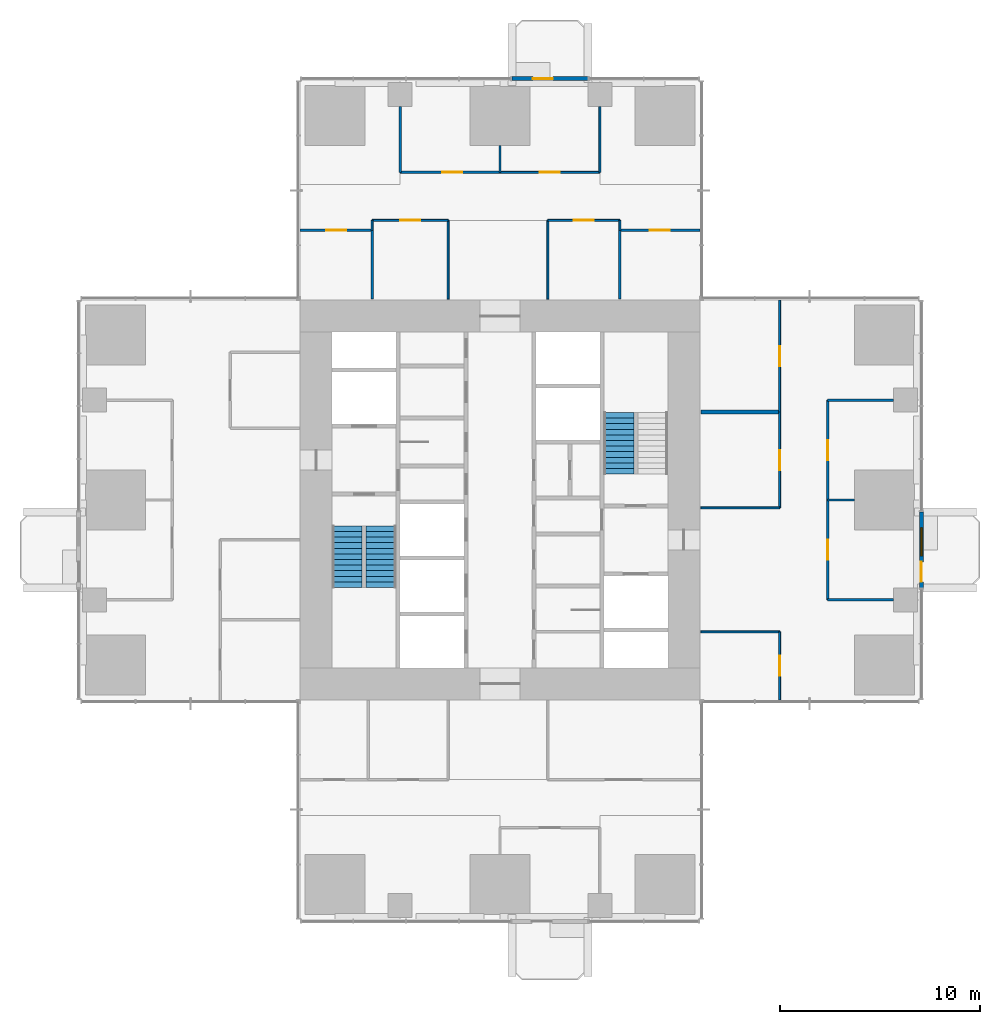
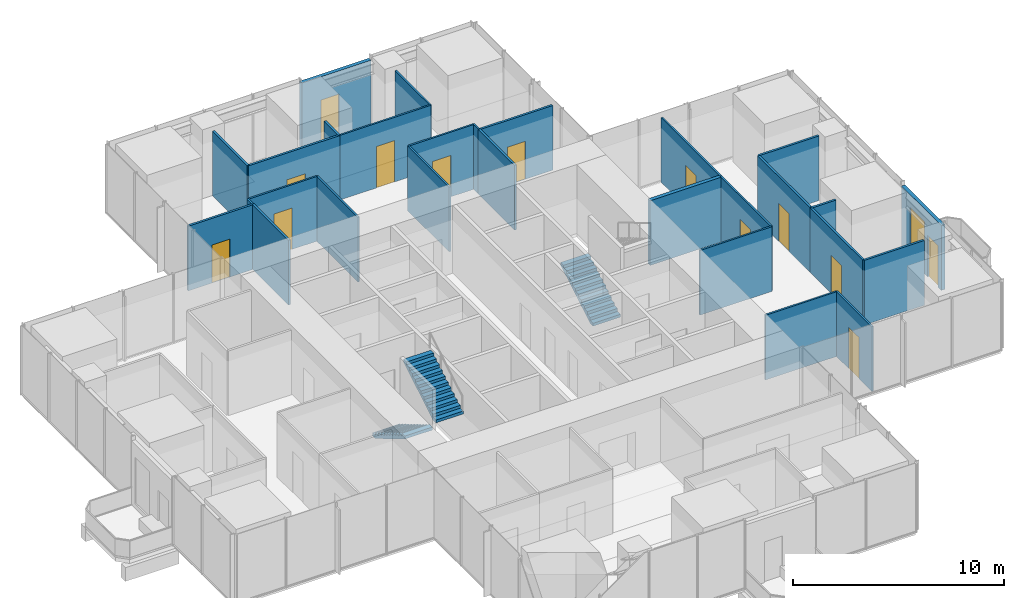
# One storey, part 10 of 14: 28 walls, 13 doors, 3 stair flights, 1 window, 14 openings, 2 elements without a shape of their own.
"""IFC4 building model written with IfcOpenShell, lengths in metres."""

from ifc_helpers import new_model, si_unit, direction, frame, frame_2d, origin, place, context, subcontext, project, spatial, polyline, rectangle, outline, extrude, material, layer, layer_set, type_object, element, fill, aggregate, save


model = new_model("IFC4")

# Units and contexts
model_context = context("Model", 3, precision=1e-05, world=origin(), true_north=direction((0.0, 1.0)))
body_context = subcontext(model_context, "Body", "Model", "MODEL_VIEW")
ifc_project = project(units=[si_unit("LENGTHUNIT", "METRE"), si_unit("AREAUNIT", "SQUARE_METRE"), si_unit("VOLUMEUNIT", "CUBIC_METRE"), si_unit("PLANEANGLEUNIT", "RADIAN"), si_unit("MASSUNIT", "GRAM", prefix="KILO")], contexts=[model_context])

# Site, building, storey
site_placement = place(None, origin())
site = spatial("IfcSite", under=ifc_project, at=site_placement, CompositionType="ELEMENT")
building_placement = place(site_placement, origin())
building = spatial("IfcBuilding", under=site, at=building_placement, Name="Svetlomir Tower", CompositionType="ELEMENT")
storey_placement = place(building_placement, frame((0.0, 0.0, 112.5)))
storey = spatial("IfcBuildingStorey", under=building, at=storey_placement, Name="L26", CompositionType="ELEMENT", Elevation=112.5)

# Wall
ifc_material_1 = material(Name="Gypsum board on twin steel studs", Category="steel")
ifc_layer_1 = layer(ifc_material_1, 0.199951171875)
ifc_layer_set_1 = layer_set([ifc_layer_1], Name="Gypsum board on twin steel studs")
wall_type_1 = type_object("IfcWallType", Name="ACOUSTIC PARTITION 200", PredefinedType="PARTITIONING", material=ifc_layer_set_1)
wall_1_placement = place(storey_placement, frame((31.050048828125, 25.39990234375, 0.0), z_axis=(0.0, 0.0, 1.0), x_axis=(1.0, 0.0, 0.0)))
element("IfcWall", 1, at=wall_1_placement, inside=storey, type_object=wall_type_1, Name="Acoustic partition L26", PredefinedType="PARTITIONING", context=body_context, shape_type="SweptSolid", body=[
    extrude(rectangle(XDim=3.949951171875, YDim=0.199951171875, at=frame_2d((1.97509765625, 0.0))), origin(), (0.0, 0.0, 1.0), 3.75),
])

# Wall, openings, door, window
ifc_material_2 = material(Name="Bronze anodised aluminium glazed screen", Category="aluminium")
ifc_layer_2 = layer(ifc_material_2, 0.199951171875)
ifc_layer_set_2 = layer_set([ifc_layer_2], Name="Bronze anodised aluminium glazed screen")
wall_type_2 = type_object("IfcWallType", Name="BALCONY SCREEN WALL 200", PredefinedType="USERDEFINED", material=ifc_layer_set_2)
wall_2_placement = place(storey_placement, frame((42.10009765625, 16.60009765625, 0.0), z_axis=(0.0, 0.0, 1.0), x_axis=(0.0, 1.0, 0.0)))
wall_2 = element("IfcWall", 2, at=wall_2_placement, inside=storey, type_object=wall_type_2, Name="Balcony screen E", ObjectType="GLAZED SCREEN", PredefinedType="USERDEFINED", context=body_context, shape_type="SweptSolid", body=[
    extrude(rectangle(XDim=3.7998046875, YDim=0.199951171875, at=frame_2d((1.89990234375, 0.0))), origin(), (0.0, 0.0, 1.0), 3.75),
])
opening_1_placement = place(wall_2_placement, frame((0.300048828125, 0.0, 0.0)))
opening_1 = element("IfcOpeningElement", 3, at=opening_1_placement, cuts=wall_2, Name="Opening BD", PredefinedType="OPENING", context=body_context, shape_type="SweptSolid", body=[
    extrude(rectangle(XDim=1.0, YDim=2.39990234375, at=frame_2d((0.5, 1.199951171875))), frame((0.0, 0.10986328125, 0.0), z_axis=(0.0, -1.0, 0.0), x_axis=(1.0, 0.0, 0.0)), (0.0, 0.0, 1.0), 0.219970703125),
])
opening_2_placement = place(wall_2_placement, frame((1.60009765625, 0.0, 0.300048828125)))
opening_2 = element("IfcOpeningElement", 4, at=opening_2_placement, cuts=wall_2, Name="Opening WS2", PredefinedType="OPENING", context=body_context, shape_type="SweptSolid", body=[
    extrude(rectangle(XDim=1.39990234375, YDim=2.699951171875, at=frame_2d((0.699951171875, 1.35009765625))), frame((0.0, 0.10986328125, 0.0), z_axis=(0.0, -1.0, 0.0), x_axis=(1.0, 0.0, 0.0)), (0.0, 0.0, 1.0), 0.219970703125),
])
ifc_material_3 = material(Name="Bronze anodised aluminium glazed door", Category="aluminium")
door_type_1 = type_object("IfcDoorType", Name="BALCONY DOOR BD 1000x2400", OperationType="SINGLE_SWING_LEFT", PredefinedType="DOOR", material=ifc_material_3)
door_1_placement = place(opening_1_placement, origin())
door_1 = element("IfcDoor", 5, at=door_1_placement, inside=storey, type_object=door_type_1, Name="Balcony screen E door", OperationType="SINGLE_SWING_LEFT", OverallHeight=2.39990234375, OverallWidth=1.0, PredefinedType="DOOR", context=body_context, shape_type="SweptSolid", body=[
    extrude(rectangle(XDim=1.0, YDim=2.39990234375, at=frame_2d((0.5, 1.199951171875))), frame((0.0, 0.02490234375, 0.0), z_axis=(0.0, -1.0, 0.0), x_axis=(1.0, 0.0, 0.0)), (0.0, 0.0, 1.0), 0.050048828125),
])
fill(opening_1, door_1)
ifc_material_4 = material(Name="Bronze anodised aluminium window", Category="aluminium")
window_type = type_object("IfcWindowType", Name="SCREEN WINDOW WS2 1400x2700", PartitioningType="SINGLE_PANEL", PredefinedType="WINDOW", material=ifc_material_4)
window_placement = place(opening_2_placement, origin())
window = element("IfcWindow", 6, at=window_placement, inside=storey, type_object=window_type, Name="Balcony screen E window 1", OverallHeight=2.699951171875, OverallWidth=1.39990234375, PartitioningType="SINGLE_PANEL", PredefinedType="WINDOW", context=body_context, shape_type="SweptSolid", body=[
    extrude(rectangle(XDim=1.39990234375, YDim=2.699951171875, at=frame_2d((0.699951171875, 1.35009765625))), frame((0.0, 0.030029296875, 0.0), z_axis=(0.0, -1.0, 0.0), x_axis=(1.0, 0.0, 0.0)), (0.0, 0.0, 1.0), 0.06005859375),
])
fill(opening_2, window)

# Wall, opening, door
wall_3_placement = place(storey_placement, frame((25.39990234375, 42.10009765625, 0.0), z_axis=(0.0, 0.0, 1.0), x_axis=(-1.0, 0.0, 0.0)))
wall_3 = element("IfcWall", 7, at=wall_3_placement, inside=storey, type_object=wall_type_2, Name="Balcony screen N", ObjectType="GLAZED SCREEN", PredefinedType="USERDEFINED", context=body_context, shape_type="SweptSolid", body=[
    extrude(rectangle(XDim=3.7998046875, YDim=0.199951171875, at=frame_2d((1.89990234375, 0.0))), origin(), (0.0, 0.0, 1.0), 3.75),
])
opening_3_placement = place(wall_3_placement, frame((1.75, 0.0, 0.0)))
opening_3 = element("IfcOpeningElement", 8, at=opening_3_placement, cuts=wall_3, Name="Opening BD", PredefinedType="OPENING", context=body_context, shape_type="SweptSolid", body=[
    extrude(rectangle(XDim=1.0, YDim=2.39990234375, at=frame_2d((0.5, 1.199951171875))), frame((0.0, 0.10986328125, 0.0), z_axis=(0.0, -1.0, 0.0), x_axis=(1.0, 0.0, 0.0)), (0.0, 0.0, 1.0), 0.219970703125),
])
door_2_placement = place(opening_3_placement, origin())
door_2 = element("IfcDoor", 9, at=door_2_placement, inside=storey, type_object=door_type_1, Name="Balcony screen N door", OperationType="SINGLE_SWING_LEFT", OverallHeight=2.39990234375, OverallWidth=1.0, PredefinedType="DOOR", context=body_context, shape_type="SweptSolid", body=[
    extrude(rectangle(XDim=1.0, YDim=2.39990234375, at=frame_2d((0.5, 1.199951171875))), frame((0.0, 0.02490234375, 0.0), z_axis=(0.0, -1.0, 0.0), x_axis=(1.0, 0.0, 0.0)), (0.0, 0.0, 1.0), 0.050048828125),
])
fill(opening_3, door_2)

# Wall
ifc_material_5 = material(Name="Framed laminated glass partition", Category="glass")
ifc_layer_3 = layer(ifc_material_5, 0.10009765625)
ifc_layer_set_3 = layer_set([ifc_layer_3], Name="Framed laminated glass partition")
wall_type_3 = type_object("IfcWallType", Name="GLAZED PARTITION 100", PredefinedType="PARTITIONING", material=ifc_layer_set_3)
wall_4_placement = place(storey_placement, frame((14.60009765625, 34.5, 0.0), z_axis=(0.0, 0.0, 1.0), x_axis=(0.0, 1.0, 0.0)))
element("IfcWall", 10, at=wall_4_placement, inside=storey, type_object=wall_type_3, Name="Glazed partition L26", PredefinedType="PARTITIONING", context=body_context, shape_type="SweptSolid", body=[
    extrude(rectangle(XDim=0.5, YDim=0.10009765625, at=frame_2d((0.25, 0.0))), origin(), (0.0, 0.0, 1.0), 3.75),
])

# Wall, opening, door
wall_5_placement = place(storey_placement, frame((14.60009765625, 35.0, 0.0), z_axis=(0.0, 0.0, 1.0), x_axis=(1.0, 0.0, 0.0)))
wall_5 = element("IfcWall", 11, at=wall_5_placement, inside=storey, type_object=wall_type_3, Name="Glazed partition L26", PredefinedType="PARTITIONING", context=body_context, shape_type="SweptSolid", body=[
    extrude(rectangle(XDim=3.7998046875, YDim=0.10009765625, at=frame_2d((1.89990234375, 0.0))), origin(), (0.0, 0.0, 1.0), 3.75),
])
opening_4_placement = place(wall_5_placement, frame((1.39990234375, 0.0, 0.0)))
opening_4 = element("IfcOpeningElement", 12, at=opening_4_placement, cuts=wall_5, Name="Opening DG", PredefinedType="OPENING", context=body_context, shape_type="SweptSolid", body=[
    extrude(rectangle(XDim=1.0, YDim=2.39990234375, at=frame_2d((0.5, 1.199951171875))), frame((0.0, 0.06005859375, 0.0), z_axis=(0.0, -1.0, 0.0), x_axis=(1.0, 0.0, 0.0)), (0.0, 0.0, 1.0), 0.1201171875),
])
ifc_material_6 = material(Name="Framed laminated glass door", Category="glass")
door_type_2 = type_object("IfcDoorType", Name="GLAZED DOOR DG 1000x2400", OperationType="SINGLE_SWING_LEFT", PredefinedType="DOOR", material=ifc_material_6)
door_3_placement = place(opening_4_placement, origin())
door_3 = element("IfcDoor", 13, at=door_3_placement, inside=storey, type_object=door_type_2, Name="Focus room 2 door L26", OperationType="SINGLE_SWING_LEFT", OverallHeight=2.39990234375, OverallWidth=1.0, PredefinedType="DOOR", context=body_context, shape_type="SweptSolid", body=[
    extrude(rectangle(XDim=1.0, YDim=2.39990234375, at=frame_2d((0.5, 1.199951171875))), frame((0.0, 0.02490234375, 0.0), z_axis=(0.0, -1.0, 0.0), x_axis=(1.0, 0.0, 0.0)), (0.0, 0.0, 1.0), 0.050048828125),
])
fill(opening_4, door_3)

# Wall
wall_6_placement = place(storey_placement, frame((18.39990234375, 31.050048828125, 0.0), z_axis=(0.0, 0.0, 1.0), x_axis=(0.0, 1.0, 0.0)))
element("IfcWall", 14, at=wall_6_placement, inside=storey, type_object=wall_type_3, Name="Glazed partition L26", PredefinedType="PARTITIONING", context=body_context, shape_type="SweptSolid", body=[
    extrude(rectangle(XDim=3.949951171875, YDim=0.10009765625, at=frame_2d((1.97509765625, 0.0))), origin(), (0.0, 0.0, 1.0), 3.75),
])

# Wall, opening, door
wall_7_placement = place(storey_placement, frame((21.0, 37.39990234375, 0.0), z_axis=(0.0, 0.0, 1.0), x_axis=(1.0, 0.0, 0.0)))
wall_7 = element("IfcWall", 15, at=wall_7_placement, inside=storey, type_object=wall_type_3, Name="Glazed partition L26", PredefinedType="PARTITIONING", context=body_context, shape_type="SweptSolid", body=[
    extrude(rectangle(XDim=5.0, YDim=0.10009765625, at=frame_2d((2.5, 0.0))), origin(), (0.0, 0.0, 1.0), 3.75),
])
opening_5_placement = place(wall_7_placement, frame((2.0, 0.0, 0.0)))
opening_5 = element("IfcOpeningElement", 16, at=opening_5_placement, cuts=wall_7, Name="Opening DG", PredefinedType="OPENING", context=body_context, shape_type="SweptSolid", body=[
    extrude(rectangle(XDim=1.0, YDim=2.39990234375, at=frame_2d((0.5, 1.199951171875))), frame((0.0, 0.06005859375, 0.0), z_axis=(0.0, -1.0, 0.0), x_axis=(1.0, 0.0, 0.0)), (0.0, 0.0, 1.0), 0.1201171875),
])
door_4_placement = place(opening_5_placement, origin())
door_4 = element("IfcDoor", 17, at=door_4_placement, inside=storey, type_object=door_type_2, Name="Law library door L26", OperationType="SINGLE_SWING_LEFT", OverallHeight=2.39990234375, OverallWidth=1.0, PredefinedType="DOOR", context=body_context, shape_type="SweptSolid", body=[
    extrude(rectangle(XDim=1.0, YDim=2.39990234375, at=frame_2d((0.5, 1.199951171875))), frame((0.0, 0.02490234375, 0.0), z_axis=(0.0, -1.0, 0.0), x_axis=(1.0, 0.0, 0.0)), (0.0, 0.0, 1.0), 0.050048828125),
])
fill(opening_5, door_4)

# Wall
wall_8_placement = place(storey_placement, frame((23.39990234375, 31.050048828125, 0.0), z_axis=(0.0, 0.0, 1.0), x_axis=(0.0, 1.0, 0.0)))
element("IfcWall", 18, at=wall_8_placement, inside=storey, type_object=wall_type_3, Name="Glazed partition L26", PredefinedType="PARTITIONING", context=body_context, shape_type="SweptSolid", body=[
    extrude(rectangle(XDim=3.949951171875, YDim=0.10009765625, at=frame_2d((1.97509765625, 0.0))), origin(), (0.0, 0.0, 1.0), 3.75),
])

# Wall, opening, door
wall_9_placement = place(storey_placement, frame((23.39990234375, 35.0, 0.0), z_axis=(0.0, 0.0, 1.0), x_axis=(1.0, 0.0, 0.0)))
wall_9 = element("IfcWall", 19, at=wall_9_placement, inside=storey, type_object=wall_type_3, Name="Glazed partition L26", PredefinedType="PARTITIONING", context=body_context, shape_type="SweptSolid", body=[
    extrude(rectangle(XDim=3.60009765625, YDim=0.10009765625, at=frame_2d((1.800048828125, 0.0))), origin(), (0.0, 0.0, 1.0), 3.75),
])
opening_6_placement = place(wall_9_placement, frame((1.300048828125, 0.0, 0.0)))
opening_6 = element("IfcOpeningElement", 20, at=opening_6_placement, cuts=wall_9, Name="Opening DG", PredefinedType="OPENING", context=body_context, shape_type="SweptSolid", body=[
    extrude(rectangle(XDim=1.0, YDim=2.39990234375, at=frame_2d((0.5, 1.199951171875))), frame((0.0, 0.06005859375, 0.0), z_axis=(0.0, -1.0, 0.0), x_axis=(1.0, 0.0, 0.0)), (0.0, 0.0, 1.0), 0.1201171875),
])
door_5_placement = place(opening_6_placement, origin())
door_5 = element("IfcDoor", 21, at=door_5_placement, inside=storey, type_object=door_type_2, Name="Focus room 3 door L26", OperationType="SINGLE_SWING_RIGHT", OverallHeight=2.39990234375, OverallWidth=1.0, PredefinedType="DOOR", context=body_context, shape_type="SweptSolid", body=[
    extrude(rectangle(XDim=1.0, YDim=2.39990234375, at=frame_2d((0.5, 1.199951171875))), frame((0.0, 0.02490234375, 0.0), z_axis=(0.0, -1.0, 0.0), x_axis=(1.0, 0.0, 0.0)), (0.0, 0.0, 1.0), 0.050048828125),
])
fill(opening_6, door_5)

# Walls
wall_10_placement = place(storey_placement, frame((26.0, 37.39990234375, 0.0), z_axis=(0.0, 0.0, 1.0), x_axis=(0.0, 1.0, 0.0)))
element("IfcWall", 22, at=wall_10_placement, inside=storey, type_object=wall_type_3, Name="Glazed partition L26", PredefinedType="PARTITIONING", context=body_context, shape_type="SweptSolid", body=[
    extrude(rectangle(XDim=3.2900390625, YDim=0.10009765625, at=frame_2d((1.64501953125, 0.0))), origin(), (0.0, 0.0, 1.0), 3.75),
])
wall_11_placement = place(storey_placement, frame((27.0, 34.5, 0.0), z_axis=(0.0, 0.0, 1.0), x_axis=(0.0, 1.0, 0.0)))
element("IfcWall", 23, at=wall_11_placement, inside=storey, type_object=wall_type_3, Name="Glazed partition L26", PredefinedType="PARTITIONING", context=body_context, shape_type="SweptSolid", body=[
    extrude(rectangle(XDim=0.5, YDim=0.10009765625, at=frame_2d((0.25, 0.0))), origin(), (0.0, 0.0, 1.0), 3.75),
])
for number, where, z_axis, x_axis, name in (
    (24, (31.050048828125, 14.39990234375, 0.0), (0.0, 0.0, 1.0), (1.0, 0.0, 0.0), "Glazed partition L26"),
    (25, (31.050048828125, 20.60009765625, 0.0), (0.0, 0.0, 1.0), (1.0, 0.0, 0.0), "Glazed partition L26"),
):
    element("IfcWall", number, at=place(storey_placement, frame(where, z_axis=z_axis, x_axis=x_axis)), inside=storey, type_object=wall_type_3, Name=name, PredefinedType="PARTITIONING", context=body_context, shape_type="SweptSolid", body=[
        extrude(rectangle(XDim=3.949951171875, YDim=0.10009765625, at=frame_2d((1.97509765625, 0.0))), origin(), (0.0, 0.0, 1.0), 3.75),
    ])

# Wall, opening, door
wall_12_placement = place(storey_placement, frame((35.0, 11.0, 0.0), z_axis=(0.0, 0.0, 1.0), x_axis=(0.0, 1.0, 0.0)))
wall_12 = element("IfcWall", 26, at=wall_12_placement, inside=storey, type_object=wall_type_3, Name="Glazed partition L26", PredefinedType="PARTITIONING", context=body_context, shape_type="SweptSolid", body=[
    extrude(rectangle(XDim=3.39990234375, YDim=0.10009765625, at=frame_2d((1.699951171875, 0.0))), origin(), (0.0, 0.0, 1.0), 3.75),
])
opening_7_placement = place(wall_12_placement, frame((1.199951171875, 0.0, 0.0)))
opening_7 = element("IfcOpeningElement", 27, at=opening_7_placement, cuts=wall_12, Name="Opening DG", PredefinedType="OPENING", context=body_context, shape_type="SweptSolid", body=[
    extrude(rectangle(XDim=1.0, YDim=2.39990234375, at=frame_2d((0.5, 1.199951171875))), frame((0.0, 0.06005859375, 0.0), z_axis=(0.0, -1.0, 0.0), x_axis=(1.0, 0.0, 0.0)), (0.0, 0.0, 1.0), 0.1201171875),
])
door_6_placement = place(opening_7_placement, origin())
door_6 = element("IfcDoor", 28, at=door_6_placement, inside=storey, type_object=door_type_2, Name="Phone rooms door L26", OperationType="SINGLE_SWING_RIGHT", OverallHeight=2.39990234375, OverallWidth=1.0, PredefinedType="DOOR", context=body_context, shape_type="SweptSolid", body=[
    extrude(rectangle(XDim=1.0, YDim=2.39990234375, at=frame_2d((0.5, 1.199951171875))), frame((0.0, 0.02490234375, 0.0), z_axis=(0.0, -1.0, 0.0), x_axis=(1.0, 0.0, 0.0)), (0.0, 0.0, 1.0), 0.050048828125),
])
fill(opening_7, door_6)

wall_13_placement = place(storey_placement, frame((35.0, 20.60009765625, 0.0), z_axis=(0.0, 0.0, 1.0), x_axis=(0.0, 1.0, 0.0)))
wall_13 = element("IfcWall", 29, at=wall_13_placement, inside=storey, type_object=wall_type_3, Name="Glazed partition L26", PredefinedType="PARTITIONING", context=body_context, shape_type="SweptSolid", body=[
    extrude(rectangle(XDim=4.7998046875, YDim=0.10009765625, at=frame_2d((2.39990234375, 0.0))), origin(), (0.0, 0.0, 1.0), 3.75),
])
opening_8_placement = place(wall_13_placement, frame((1.89990234375, 0.0, 0.0)))
opening_8 = element("IfcOpeningElement", 30, at=opening_8_placement, cuts=wall_13, Name="Opening DG", PredefinedType="OPENING", context=body_context, shape_type="SweptSolid", body=[
    extrude(rectangle(XDim=1.0, YDim=2.39990234375, at=frame_2d((0.5, 1.199951171875))), frame((0.0, 0.06005859375, 0.0), z_axis=(0.0, -1.0, 0.0), x_axis=(1.0, 0.0, 0.0)), (0.0, 0.0, 1.0), 0.1201171875),
])
door_7_placement = place(opening_8_placement, origin())
door_7 = element("IfcDoor", 31, at=door_7_placement, inside=storey, type_object=door_type_2, Name="Meeting room, 8 seats door L26", OperationType="SINGLE_SWING_RIGHT", OverallHeight=2.39990234375, OverallWidth=1.0, PredefinedType="DOOR", context=body_context, shape_type="SweptSolid", body=[
    extrude(rectangle(XDim=1.0, YDim=2.39990234375, at=frame_2d((0.5, 1.199951171875))), frame((0.0, 0.02490234375, 0.0), z_axis=(0.0, -1.0, 0.0), x_axis=(1.0, 0.0, 0.0)), (0.0, 0.0, 1.0), 0.050048828125),
])
fill(opening_8, door_7)

wall_14_placement = place(storey_placement, frame((35.0, 25.39990234375, 0.0), z_axis=(0.0, 0.0, 1.0), x_axis=(0.0, 1.0, 0.0)))
wall_14 = element("IfcWall", 32, at=wall_14_placement, inside=storey, type_object=wall_type_3, Name="Glazed partition L26", PredefinedType="PARTITIONING", context=body_context, shape_type="SweptSolid", body=[
    extrude(rectangle(XDim=5.60009765625, YDim=0.10009765625, at=frame_2d((2.800048828125, 0.0))), origin(), (0.0, 0.0, 1.0), 3.75),
])
opening_9_placement = place(wall_14_placement, frame((2.300048828125, 0.0, 0.0)))
opening_9 = element("IfcOpeningElement", 33, at=opening_9_placement, cuts=wall_14, Name="Opening DG", PredefinedType="OPENING", context=body_context, shape_type="SweptSolid", body=[
    extrude(rectangle(XDim=1.0, YDim=2.39990234375, at=frame_2d((0.5, 1.199951171875))), frame((0.0, 0.06005859375, 0.0), z_axis=(0.0, -1.0, 0.0), x_axis=(1.0, 0.0, 0.0)), (0.0, 0.0, 1.0), 0.1201171875),
])
door_8_placement = place(opening_9_placement, origin())
door_8 = element("IfcDoor", 34, at=door_8_placement, inside=storey, type_object=door_type_2, Name="Data room door L26", OperationType="SINGLE_SWING_LEFT", OverallHeight=2.39990234375, OverallWidth=1.0, PredefinedType="DOOR", context=body_context, shape_type="SweptSolid", body=[
    extrude(rectangle(XDim=1.0, YDim=2.39990234375, at=frame_2d((0.5, 1.199951171875))), frame((0.0, 0.02490234375, 0.0), z_axis=(0.0, -1.0, 0.0), x_axis=(1.0, 0.0, 0.0)), (0.0, 0.0, 1.0), 0.050048828125),
])
fill(opening_9, door_8)

ifc_material_7 = material(Name="Gypsum board on steel studs", Category="steel")
ifc_layer_4 = layer(ifc_material_7, 0.1201171875)
ifc_layer_set_4 = layer_set([ifc_layer_4], Name="Gypsum board on steel studs")
wall_type_4 = type_object("IfcWallType", Name="PARTITION 120", PredefinedType="PARTITIONING", material=ifc_layer_set_4)
wall_15_placement = place(storey_placement, frame((11.0, 34.5, 0.0), z_axis=(0.0, 0.0, 1.0), x_axis=(1.0, 0.0, 0.0)))
wall_15 = element("IfcWall", 35, at=wall_15_placement, inside=storey, type_object=wall_type_4, Name="Partition L26", PredefinedType="PARTITIONING", context=body_context, shape_type="SweptSolid", body=[
    extrude(rectangle(XDim=3.60009765625, YDim=0.1201171875, at=frame_2d((1.800048828125, 0.0))), origin(), (0.0, 0.0, 1.0), 3.75),
])
opening_10_placement = place(wall_15_placement, frame((1.300048828125, 0.0, 0.0)))
opening_10 = element("IfcOpeningElement", 36, at=opening_10_placement, cuts=wall_15, Name="Opening DR", PredefinedType="OPENING", context=body_context, shape_type="SweptSolid", body=[
    extrude(rectangle(XDim=1.0, YDim=2.199951171875, at=frame_2d((0.5, 1.10009765625))), frame((0.0, 0.070068359375, 0.0), z_axis=(0.0, -1.0, 0.0), x_axis=(1.0, 0.0, 0.0)), (0.0, 0.0, 1.0), 0.14013671875),
])
ifc_material_8 = material(Name="Timber door, glazed side light", Category="wood")
door_type_3 = type_object("IfcDoorType", Name="DOOR DR 1000x2200", OperationType="SINGLE_SWING_LEFT", PredefinedType="DOOR", material=ifc_material_8)
door_9_placement = place(opening_10_placement, origin())
door_9 = element("IfcDoor", 37, at=door_9_placement, inside=storey, type_object=door_type_3, Name="Legal archive door L26", OperationType="SINGLE_SWING_RIGHT", OverallHeight=2.199951171875, OverallWidth=1.0, PredefinedType="DOOR", context=body_context, shape_type="SweptSolid", body=[
    extrude(rectangle(XDim=1.0, YDim=2.199951171875, at=frame_2d((0.5, 1.10009765625))), frame((0.0, 0.02490234375, 0.0), z_axis=(0.0, -1.0, 0.0), x_axis=(1.0, 0.0, 0.0)), (0.0, 0.0, 1.0), 0.050048828125),
])
fill(opening_10, door_9)

# Walls
wall_16_placement = place(storey_placement, frame((14.60009765625, 31.050048828125, 0.0), z_axis=(0.0, 0.0, 1.0), x_axis=(0.0, 1.0, 0.0)))
element("IfcWall", 38, at=wall_16_placement, inside=storey, type_object=wall_type_4, Name="Partition L26", PredefinedType="PARTITIONING", context=body_context, shape_type="SweptSolid", body=[
    extrude(rectangle(XDim=3.449951171875, YDim=0.1201171875, at=frame_2d((1.72509765625, 0.0))), origin(), (0.0, 0.0, 1.0), 3.75),
])
wall_17_placement = place(storey_placement, frame((16.0, 37.39990234375, 0.0), z_axis=(0.0, 0.0, 1.0), x_axis=(0.0, 1.0, 0.0)))
element("IfcWall", 39, at=wall_17_placement, inside=storey, type_object=wall_type_4, Name="Partition L26", PredefinedType="PARTITIONING", context=body_context, shape_type="SweptSolid", body=[
    extrude(rectangle(XDim=3.2900390625, YDim=0.1201171875, at=frame_2d((1.64501953125, 0.0))), origin(), (0.0, 0.0, 1.0), 3.75),
])

# Wall, opening, door
wall_18_placement = place(storey_placement, frame((16.0, 37.39990234375, 0.0), z_axis=(0.0, 0.0, 1.0), x_axis=(1.0, 0.0, 0.0)))
wall_18 = element("IfcWall", 40, at=wall_18_placement, inside=storey, type_object=wall_type_4, Name="Partition L26", PredefinedType="PARTITIONING", context=body_context, shape_type="SweptSolid", body=[
    extrude(rectangle(XDim=5.0, YDim=0.1201171875, at=frame_2d((2.5, 0.0))), origin(), (0.0, 0.0, 1.0), 3.75),
])
opening_11_placement = place(wall_18_placement, frame((2.10009765625, 0.0, 0.0)))
opening_11 = element("IfcOpeningElement", 41, at=opening_11_placement, cuts=wall_18, Name="Opening DR", PredefinedType="OPENING", context=body_context, shape_type="SweptSolid", body=[
    extrude(rectangle(XDim=1.0, YDim=2.199951171875, at=frame_2d((0.5, 1.10009765625))), frame((0.0, 0.070068359375, 0.0), z_axis=(0.0, -1.0, 0.0), x_axis=(1.0, 0.0, 0.0)), (0.0, 0.0, 1.0), 0.14013671875),
])
door_10_placement = place(opening_11_placement, origin())
door_10 = element("IfcDoor", 42, at=door_10_placement, inside=storey, type_object=door_type_3, Name="Counsel office 2 door L26", OperationType="SINGLE_SWING_RIGHT", OverallHeight=2.199951171875, OverallWidth=1.0, PredefinedType="DOOR", context=body_context, shape_type="SweptSolid", body=[
    extrude(rectangle(XDim=1.0, YDim=2.199951171875, at=frame_2d((0.5, 1.10009765625))), frame((0.0, 0.02490234375, 0.0), z_axis=(0.0, -1.0, 0.0), x_axis=(1.0, 0.0, 0.0)), (0.0, 0.0, 1.0), 0.050048828125),
])
fill(opening_11, door_10)

# Walls
wall_19_placement = place(storey_placement, frame((21.0, 37.39990234375, 0.0), z_axis=(0.0, 0.0, 1.0), x_axis=(0.0, 1.0, 0.0)))
element("IfcWall", 43, at=wall_19_placement, inside=storey, type_object=wall_type_4, Name="Partition L26", PredefinedType="PARTITIONING", context=body_context, shape_type="SweptSolid", body=[
    extrude(rectangle(XDim=1.340087890625, YDim=0.1201171875, at=frame_2d((0.669921875, 0.0))), origin(), (0.0, 0.0, 1.0), 3.75),
])
wall_20_placement = place(storey_placement, frame((27.0, 31.050048828125, 0.0), z_axis=(0.0, 0.0, 1.0), x_axis=(0.0, 1.0, 0.0)))
element("IfcWall", 44, at=wall_20_placement, inside=storey, type_object=wall_type_4, Name="Partition L26", PredefinedType="PARTITIONING", context=body_context, shape_type="SweptSolid", body=[
    extrude(rectangle(XDim=3.449951171875, YDim=0.1201171875, at=frame_2d((1.72509765625, 0.0))), origin(), (0.0, 0.0, 1.0), 3.75),
])

# Wall, opening, door
wall_21_placement = place(storey_placement, frame((27.0, 34.5, 0.0), z_axis=(0.0, 0.0, 1.0), x_axis=(1.0, 0.0, 0.0)))
wall_21 = element("IfcWall", 45, at=wall_21_placement, inside=storey, type_object=wall_type_4, Name="Partition L26", PredefinedType="PARTITIONING", context=body_context, shape_type="SweptSolid", body=[
    extrude(rectangle(XDim=4.0, YDim=0.1201171875, at=frame_2d((2.0, 0.0))), origin(), (0.0, 0.0, 1.0), 3.75),
])
opening_12_placement = place(wall_21_placement, frame((1.5, 0.0, 0.0)))
opening_12 = element("IfcOpeningElement", 46, at=opening_12_placement, cuts=wall_21, Name="Opening DR", PredefinedType="OPENING", context=body_context, shape_type="SweptSolid", body=[
    extrude(rectangle(XDim=1.0, YDim=2.199951171875, at=frame_2d((0.5, 1.10009765625))), frame((0.0, 0.070068359375, 0.0), z_axis=(0.0, -1.0, 0.0), x_axis=(1.0, 0.0, 0.0)), (0.0, 0.0, 1.0), 0.14013671875),
])
door_11_placement = place(opening_12_placement, origin())
door_11 = element("IfcDoor", 47, at=door_11_placement, inside=storey, type_object=door_type_3, Name="Print and copy room door L26", OperationType="SINGLE_SWING_LEFT", OverallHeight=2.199951171875, OverallWidth=1.0, PredefinedType="DOOR", context=body_context, shape_type="SweptSolid", body=[
    extrude(rectangle(XDim=1.0, YDim=2.199951171875, at=frame_2d((0.5, 1.10009765625))), frame((0.0, 0.02490234375, 0.0), z_axis=(0.0, -1.0, 0.0), x_axis=(1.0, 0.0, 0.0)), (0.0, 0.0, 1.0), 0.050048828125),
])
fill(opening_12, door_11)

wall_22_placement = place(storey_placement, frame((37.39990234375, 16.0, 0.0), z_axis=(0.0, 0.0, 1.0), x_axis=(0.0, 1.0, 0.0)))
wall_22 = element("IfcWall", 48, at=wall_22_placement, inside=storey, type_object=wall_type_4, Name="Partition L26", PredefinedType="PARTITIONING", context=body_context, shape_type="SweptSolid", body=[
    extrude(rectangle(XDim=5.0, YDim=0.1201171875, at=frame_2d((2.5, 0.0))), origin(), (0.0, 0.0, 1.0), 3.75),
])
opening_13_placement = place(wall_22_placement, frame((2.0, 0.0, 0.0)))
opening_13 = element("IfcOpeningElement", 49, at=opening_13_placement, cuts=wall_22, Name="Opening DR", PredefinedType="OPENING", context=body_context, shape_type="SweptSolid", body=[
    extrude(rectangle(XDim=1.0, YDim=2.199951171875, at=frame_2d((0.5, 1.10009765625))), frame((0.0, 0.070068359375, 0.0), z_axis=(0.0, -1.0, 0.0), x_axis=(1.0, 0.0, 0.0)), (0.0, 0.0, 1.0), 0.14013671875),
])
door_12_placement = place(opening_13_placement, origin())
door_12 = element("IfcDoor", 50, at=door_12_placement, inside=storey, type_object=door_type_3, Name="General counsel office door L26", OperationType="SINGLE_SWING_RIGHT", OverallHeight=2.199951171875, OverallWidth=1.0, PredefinedType="DOOR", context=body_context, shape_type="SweptSolid", body=[
    extrude(rectangle(XDim=1.0, YDim=2.199951171875, at=frame_2d((0.5, 1.10009765625))), frame((0.0, 0.02490234375, 0.0), z_axis=(0.0, -1.0, 0.0), x_axis=(1.0, 0.0, 0.0)), (0.0, 0.0, 1.0), 0.050048828125),
])
fill(opening_13, door_12)

# Wall
wall_23_placement = place(storey_placement, frame((37.39990234375, 16.0, 0.0), z_axis=(0.0, 0.0, 1.0), x_axis=(1.0, 0.0, 0.0)))
element("IfcWall", 51, at=wall_23_placement, inside=storey, type_object=wall_type_4, Name="Partition L26", PredefinedType="PARTITIONING", context=body_context, shape_type="SweptSolid", body=[
    extrude(rectangle(XDim=3.2900390625, YDim=0.1201171875, at=frame_2d((1.64501953125, 0.0))), origin(), (0.0, 0.0, 1.0), 3.75),
])

# Wall, opening, door
wall_24_placement = place(storey_placement, frame((37.39990234375, 21.0, 0.0), z_axis=(0.0, 0.0, 1.0), x_axis=(0.0, 1.0, 0.0)))
wall_24 = element("IfcWall", 52, at=wall_24_placement, inside=storey, type_object=wall_type_4, Name="Partition L26", PredefinedType="PARTITIONING", context=body_context, shape_type="SweptSolid", body=[
    extrude(rectangle(XDim=5.0, YDim=0.1201171875, at=frame_2d((2.5, 0.0))), origin(), (0.0, 0.0, 1.0), 3.75),
])
opening_14_placement = place(wall_24_placement, frame((2.0, 0.0, 0.0)))
opening_14 = element("IfcOpeningElement", 53, at=opening_14_placement, cuts=wall_24, Name="Opening DR", PredefinedType="OPENING", context=body_context, shape_type="SweptSolid", body=[
    extrude(rectangle(XDim=1.0, YDim=2.199951171875, at=frame_2d((0.5, 1.10009765625))), frame((0.0, 0.070068359375, 0.0), z_axis=(0.0, -1.0, 0.0), x_axis=(1.0, 0.0, 0.0)), (0.0, 0.0, 1.0), 0.14013671875),
])
door_13_placement = place(opening_14_placement, origin())
door_13 = element("IfcDoor", 54, at=door_13_placement, inside=storey, type_object=door_type_3, Name="Legal assistants office door L26", OperationType="SINGLE_SWING_LEFT", OverallHeight=2.199951171875, OverallWidth=1.0, PredefinedType="DOOR", context=body_context, shape_type="SweptSolid", body=[
    extrude(rectangle(XDim=1.0, YDim=2.199951171875, at=frame_2d((0.5, 1.10009765625))), frame((0.0, 0.02490234375, 0.0), z_axis=(0.0, -1.0, 0.0), x_axis=(1.0, 0.0, 0.0)), (0.0, 0.0, 1.0), 0.050048828125),
])
fill(opening_14, door_13)

# Walls
wall_25_placement = place(storey_placement, frame((37.39990234375, 21.0, 0.0), z_axis=(0.0, 0.0, 1.0), x_axis=(1.0, 0.0, 0.0)))
element("IfcWall", 55, at=wall_25_placement, inside=storey, type_object=wall_type_4, Name="Partition L26", PredefinedType="PARTITIONING", context=body_context, shape_type="SweptSolid", body=[
    extrude(rectangle(XDim=1.340087890625, YDim=0.1201171875, at=frame_2d((0.669921875, 0.0))), origin(), (0.0, 0.0, 1.0), 3.75),
])
wall_26_placement = place(storey_placement, frame((37.39990234375, 26.0, 0.0), z_axis=(0.0, 0.0, 1.0), x_axis=(1.0, 0.0, 0.0)))
element("IfcWall", 56, at=wall_26_placement, inside=storey, type_object=wall_type_4, Name="Partition L26", PredefinedType="PARTITIONING", context=body_context, shape_type="SweptSolid", body=[
    extrude(rectangle(XDim=3.2900390625, YDim=0.1201171875, at=frame_2d((1.64501953125, 0.0))), origin(), (0.0, 0.0, 1.0), 3.75),
])

# Stair, stair flights
ifc_material_9 = material(Name="Concrete C60/75", Category="concrete")
stair_type = type_object("IfcStairType", Name="EXIT STAIR 3200 RISE 4000", PredefinedType="HALF_TURN_STAIR", material=ifc_material_9)
stair_1_placement = place(storey_placement, origin())
stair_1 = element("IfcStair", 57, at=stair_1_placement, inside=storey, type_object=stair_type, Name="Stair S1 L26 to L27", PredefinedType="HALF_TURN_STAIR")
ifc_material_10 = material(Name="Concrete C60/75", Category="concrete")
stair_flight_type = type_object("IfcStairFlightType", Name="STAIR FLIGHT 1500 OF 12 RISERS", PredefinedType="STRAIGHT", material=ifc_material_10)
stair_flight_1_placement = place(storey_placement, frame((13.35009765625, 19.699951171875, 0.0), z_axis=(0.0, 0.0, 1.0), x_axis=(0.0, -1.0, 0.0)))
stair_flight_1 = element("IfcStairFlight", 58, at=stair_flight_1_placement, type_object=stair_flight_type, Name="S1 flight 1", NumberOfRisers=12, NumberOfTreads=11, PredefinedType="STRAIGHT", RiserHeight=0.166666667, TreadLength=0.28, context=body_context, shape_type="SweptSolid", body=[
    extrude(outline(polyline([(0.0, 0.0), (0.0, 0.166748046875), (0.280029296875, 0.166748046875), (0.280029296875, 0.333251953125), (0.56005859375, 0.333251953125), (0.56005859375, 0.5), (0.840087890625, 0.5), (0.840087890625, 0.666748046875), (1.1201171875, 0.666748046875), (1.1201171875, 0.833251953125), (1.39990234375, 0.833251953125), (1.39990234375, 1.0), (1.679931640625, 1.0), (1.679931640625, 1.166748046875), (1.9599609375, 1.166748046875), (1.9599609375, 1.333251953125), (2.239990234375, 1.333251953125), (2.239990234375, 1.5), (2.52001953125, 1.5), (2.52001953125, 1.666748046875), (2.800048828125, 1.666748046875), (2.800048828125, 1.833251953125), (3.080078125, 1.833251953125), (3.080078125, 2.0), (3.080078125, 1.658935546875), (0.29296875, 0.0), (0.0, 0.0)])), frame((0.0, 0.75, 0.0), z_axis=(0.0, -1.0, 0.0), x_axis=(1.0, 0.0, 0.0)), (0.0, 0.0, 1.0), 1.5),
])
stair_flight_2_placement = place(storey_placement, frame((15.050048828125, 16.6201171875, 2.0), z_axis=(0.0, 0.0, 1.0), x_axis=(0.0, 1.0, 0.0)))
stair_flight_2 = element("IfcStairFlight", 59, at=stair_flight_2_placement, type_object=stair_flight_type, Name="S1 flight 2", NumberOfRisers=12, NumberOfTreads=11, PredefinedType="STRAIGHT", RiserHeight=0.166666667, TreadLength=0.28, context=body_context, shape_type="SweptSolid", body=[
    extrude(outline(polyline([(0.0, 0.0), (0.0, 0.166748046875), (0.280029296875, 0.166748046875), (0.280029296875, 0.333251953125), (0.56005859375, 0.333251953125), (0.56005859375, 0.5), (0.840087890625, 0.5), (0.840087890625, 0.666748046875), (1.1201171875, 0.666748046875), (1.1201171875, 0.833251953125), (1.39990234375, 0.833251953125), (1.39990234375, 1.0), (1.679931640625, 1.0), (1.679931640625, 1.166748046875), (1.9599609375, 1.166748046875), (1.9599609375, 1.333251953125), (2.239990234375, 1.333251953125), (2.239990234375, 1.5), (2.52001953125, 1.5), (2.52001953125, 1.666748046875), (2.800048828125, 1.666748046875), (2.800048828125, 1.833251953125), (3.080078125, 1.833251953125), (3.080078125, 2.0), (3.080078125, 1.658935546875), (0.29296875, 0.0), (0.0, 0.0)])), frame((0.0, 0.75, 0.0), z_axis=(0.0, -1.0, 0.0), x_axis=(1.0, 0.0, 0.0)), (0.0, 0.0, 1.0), 1.5),
])
aggregate(stair_1, [stair_flight_1, stair_flight_2])

# Stair, stair flight
stair_2_placement = place(storey_placement, origin())
stair_2 = element("IfcStair", 60, at=stair_2_placement, inside=storey, type_object=stair_type, Name="Stair S2 L26 to L27", PredefinedType="HALF_TURN_STAIR")
stair_flight_3_placement = place(storey_placement, frame((26.949951171875, 22.300048828125, 0.0), z_axis=(0.0, 0.0, 1.0), x_axis=(0.0, 1.0, 0.0)))
stair_flight_3 = element("IfcStairFlight", 61, at=stair_flight_3_placement, type_object=stair_flight_type, Name="S2 flight 1", NumberOfRisers=12, NumberOfTreads=11, PredefinedType="STRAIGHT", RiserHeight=0.166666667, TreadLength=0.28, context=body_context, shape_type="SweptSolid", body=[
    extrude(outline(polyline([(0.0, 0.0), (0.0, 0.166748046875), (0.280029296875, 0.166748046875), (0.280029296875, 0.333251953125), (0.56005859375, 0.333251953125), (0.56005859375, 0.5), (0.840087890625, 0.5), (0.840087890625, 0.666748046875), (1.1201171875, 0.666748046875), (1.1201171875, 0.833251953125), (1.39990234375, 0.833251953125), (1.39990234375, 1.0), (1.679931640625, 1.0), (1.679931640625, 1.166748046875), (1.9599609375, 1.166748046875), (1.9599609375, 1.333251953125), (2.239990234375, 1.333251953125), (2.239990234375, 1.5), (2.52001953125, 1.5), (2.52001953125, 1.666748046875), (2.800048828125, 1.666748046875), (2.800048828125, 1.833251953125), (3.080078125, 1.833251953125), (3.080078125, 2.0), (3.080078125, 1.658935546875), (0.29296875, 0.0), (0.0, 0.0)])), frame((0.0, 0.75, 0.0), z_axis=(0.0, -1.0, 0.0), x_axis=(1.0, 0.0, 0.0)), (0.0, 0.0, 1.0), 1.5),
])
aggregate(stair_2, [stair_flight_3])

save(model, "model.ifc")
